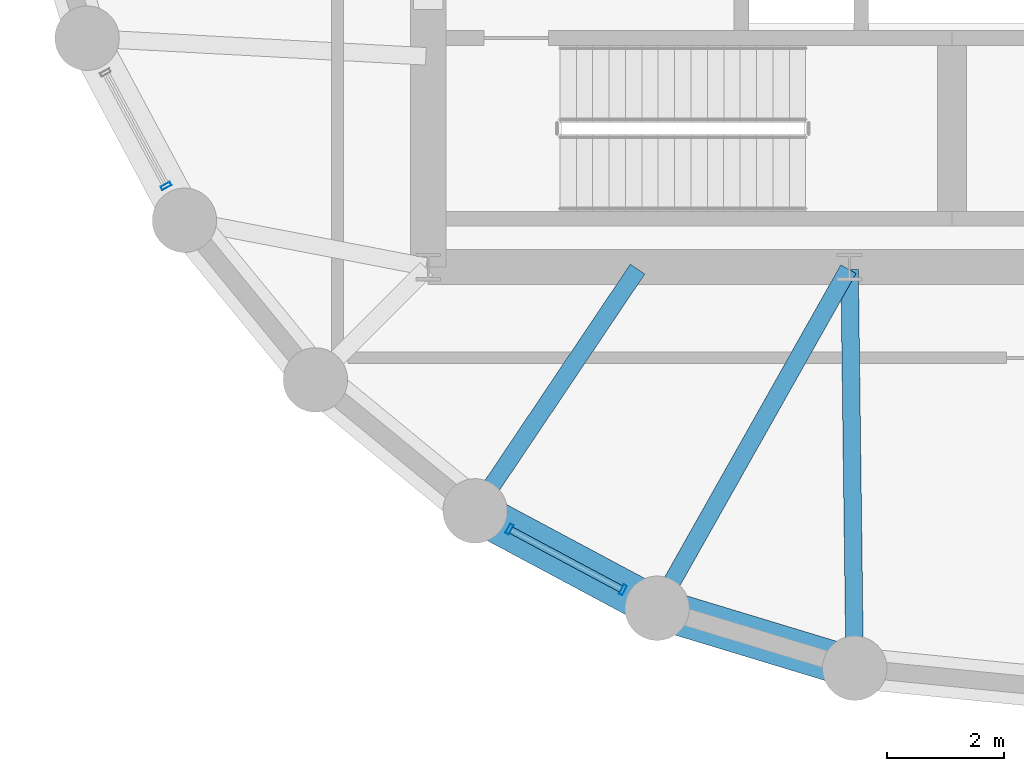
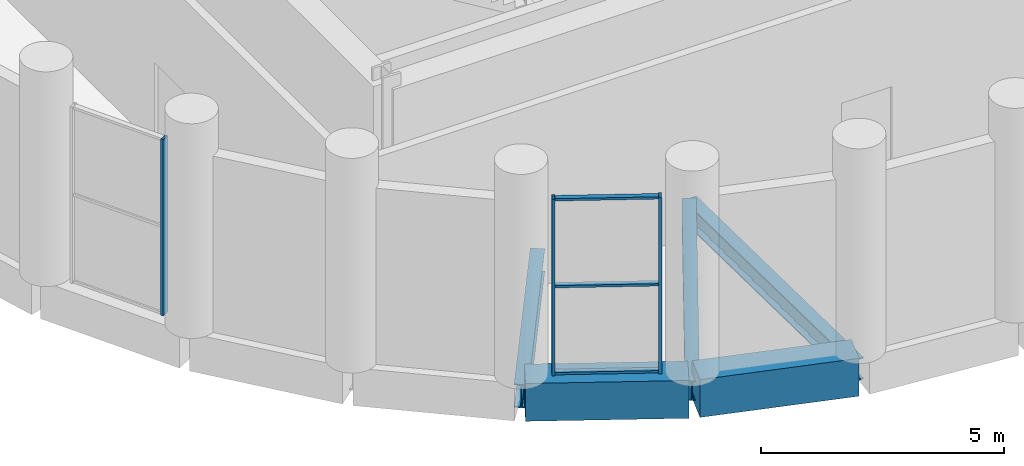
# One storey, part 2 of 27: 6 members, 5 beams, 2 elements without a shape of their own.
"""IFC4 building model written with IfcOpenShell, lengths in metres."""

from ifc_helpers import new_model, si_unit, direction, frame, origin, origin_2d, place, context, subcontext, project, spatial, rectangle, hollow_rectangle, i_section, extrude, material, layer, layer_set, material_profile, profile_set, type_object, element, aggregate, save


model = new_model("IFC4")

# Units and contexts
model_context = context("Model", 3, precision=1e-05, world=origin(), true_north=direction((0.0, 1.0)))
body_context = subcontext(model_context, "Body", "Model", "MODEL_VIEW")
ifc_project = project(units=[si_unit("LENGTHUNIT", "METRE"), si_unit("AREAUNIT", "SQUARE_METRE"), si_unit("VOLUMEUNIT", "CUBIC_METRE"), si_unit("PLANEANGLEUNIT", "RADIAN"), si_unit("MASSUNIT", "GRAM", prefix="KILO")], contexts=[model_context])

# Site, building, storey
site_placement = place(None, origin())
site = spatial("IfcSite", under=ifc_project, at=site_placement, CompositionType="ELEMENT")
building_placement = place(site_placement, origin())
building = spatial("IfcBuilding", under=site, at=building_placement, Name="Solnavia Interchange Tower", CompositionType="ELEMENT")
storey_placement = place(building_placement, frame((0.0, 0.0, 74.699951171875)))
storey = spatial("IfcBuildingStorey", under=building, at=storey_placement, Name="L18", CompositionType="ELEMENT", Elevation=74.699951171875)

# Beams
ifc_material_1 = material(Name="Steel S460", Category="steel")
ifc_material_profile_1 = material_profile(ifc_material_1, i_section(OverallWidth=0.300048828125, OverallDepth=0.550048828125, WebThickness=0.014892578125, FlangeThickness=0.029052734375, FilletRadius=0.027099609375, at=origin_2d()), Name="HEB 550")
ifc_profile_set_1 = profile_set([ifc_material_profile_1], Name="Steel S460")
beam_type_1 = type_object("IfcBeamType", Name="Beam-Girder-HEB550", PredefinedType="BEAM", material=ifc_profile_set_1)
beam_1_placement = place(storey_placement, frame((21.68701171875, 4.02587890625, -0.594970703125), z_axis=(-0.01283293513, 0.999917654498, 0.0), x_axis=(-0.999917654498, -0.01283293513, 0.0)))
element("IfcBeam", 1, at=beam_1_placement, inside=storey, type_object=beam_type_1, Name="GRD-L18-DR28 Drum radial floor girder", PredefinedType="BEAM", context=body_context, shape_type="SweptSolid", body=[
    extrude(i_section(OverallWidth=0.300048828125, OverallDepth=0.550048828125, WebThickness=0.014892578125, FlangeThickness=0.029052734375, FilletRadius=0.027099609375, at=origin_2d()), origin(), (0.0, 0.0, 1.0), 6.734619140625),
])
ifc_material_2 = material(Name="Steel S355", Category="steel")
ifc_material_profile_2 = material_profile(ifc_material_2, i_section(OverallWidth=0.300048828125, OverallDepth=0.489990234375, WebThickness=0.011962890625, FlangeThickness=0.02294921875, FilletRadius=0.027099609375, at=origin_2d()), Name="HEA 500")
ifc_profile_set_2 = profile_set([ifc_material_profile_2], Name="Steel S355")
beam_type_2 = type_object("IfcBeamType", Name="Beam-Primary-HEA500", PredefinedType="BEAM", material=ifc_profile_set_2)
beam_2_placement = place(storey_placement, frame((18.351318359375, 5.039794921875, -0.56494140625), z_axis=(0.491243158486, 0.871022479182, 0.0), x_axis=(-0.871022479182, 0.491243158486, 0.0)))
element("IfcBeam", 2, at=beam_2_placement, inside=storey, type_object=beam_type_2, Name="GRD-L18-DR27 Drum radial floor girder", PredefinedType="BEAM", context=body_context, shape_type="SweptSolid", body=[
    extrude(i_section(OverallWidth=0.300048828125, OverallDepth=0.489990234375, WebThickness=0.011962890625, FlangeThickness=0.02294921875, FilletRadius=0.027099609375, at=origin_2d()), origin(), (0.0, 0.0, 1.0), 6.5732421875),
])
ifc_material_profile_3 = material_profile(ifc_material_2, i_section(OverallWidth=0.300048828125, OverallDepth=0.590087890625, WebThickness=0.012939453125, FlangeThickness=0.02490234375, FilletRadius=0.027099609375, at=origin_2d()), Name="HEA 600")
ifc_profile_set_3 = profile_set([ifc_material_profile_3], Name="Steel S355")
beam_type_3 = type_object("IfcBeamType", Name="Beam-Primary-HEA600", PredefinedType="BEAM", material=ifc_profile_set_3)
beam_3_placement = place(storey_placement, frame((15.24462890625, 6.700439453125, -0.614990234375), z_axis=(0.557835474219, 0.829951555033, 0.0), x_axis=(-0.829951555033, 0.557835474219, 0.0)))
element("IfcBeam", 3, at=beam_3_placement, inside=storey, type_object=beam_type_3, Name="GRD-L18-DR26 Drum radial floor girder", PredefinedType="BEAM", context=body_context, shape_type="SweptSolid", body=[
    extrude(i_section(OverallWidth=0.300048828125, OverallDepth=0.590087890625, WebThickness=0.012939453125, FlangeThickness=0.02490234375, FilletRadius=0.027099609375, at=origin_2d()), origin(), (0.0, 0.0, 1.0), 4.899658203125),
])
ifc_material_3 = material(Name="Concrete C50/60", Category="concrete")
ifc_material_profile_4 = material_profile(ifc_material_3, rectangle(XDim=0.699951171875, YDim=0.949951171875, at=origin_2d()), Name="RC 700x950")
ifc_profile_set_4 = profile_set([ifc_material_profile_4], Name="Concrete C50/60")
beam_type_4 = type_object("IfcBeamType", Name="Beam-Spandrel-RC700x950", PredefinedType="SPANDREL", material=ifc_profile_set_4)
beam_4_placement = place(storey_placement, frame((15.2705078125, 6.59619140625, -0.474853515625), z_axis=(0.881875044348, -0.47148319817, 0.0), x_axis=(0.47148319817, 0.881875044348, 0.0)))
element("IfcBeam", 4, at=beam_4_placement, inside=storey, type_object=beam_type_4, Name="SPB-L18-06 Framed-tube perimeter spandrel beam", PredefinedType="SPANDREL", context=body_context, shape_type="SweptSolid", body=[
    extrude(rectangle(XDim=0.699951171875, YDim=0.949951171875, at=origin_2d()), origin(), (0.0, 0.0, 1.0), 3.368896484375),
])
beam_5_placement = place(storey_placement, frame((18.388671875, 4.94677734375, -0.474853515625), z_axis=(0.956943884494, -0.290272978297, 0.0), x_axis=(0.290272978297, 0.956943884494, 0.0)))
element("IfcBeam", 5, at=beam_5_placement, inside=storey, type_object=beam_type_4, Name="SPB-L18-07 Framed-tube perimeter spandrel beam", PredefinedType="SPANDREL", context=body_context, shape_type="SweptSolid", body=[
    extrude(rectangle(XDim=0.699951171875, YDim=0.949951171875, at=origin_2d()), origin(), (0.0, 0.0, 1.0), 3.36767578125),
])

# Curtain wall, member
ifc_material_4 = material(Name="Aluminium Alloy 6063-T6", Category="aluminium")
ifc_layer = layer(ifc_material_4, 0.199951171875)
ifc_layer_set = layer_set([ifc_layer], Name="Aluminium Alloy 6063-T6")
curtain_wall_type = type_object("IfcCurtainWallType", Name="CurtainWall-Louvre-CTW5", PredefinedType="NOTDEFINED", material=ifc_layer_set)
curtain_wall_1_placement = place(storey_placement, origin())
curtain_wall_1 = element("IfcCurtainWall", 6, at=curtain_wall_1_placement, inside=storey, type_object=curtain_wall_type, Name="CTW-L18-L57 CTW-5 curtain wall", PredefinedType="NOTDEFINED")
ifc_material_profile_5 = material_profile(ifc_material_4, hollow_rectangle(XDim=0.06494140625, YDim=0.179931640625, WallThickness=0.00439453125, at=origin_2d()), Name="ALU 180x65x4.5")
ifc_profile_set_5 = profile_set([ifc_material_profile_5], Name="Aluminium Alloy 6063-T6")
member_type_1 = type_object("IfcMemberType", Name="CW-Mullion-CWM-5", PredefinedType="MULLION", material=ifc_profile_set_5)
member_1_placement = place(storey_placement, frame((9.92041015625, 12.1865234375, 0.0), z_axis=(0.0, 0.0, 1.0), x_axis=(0.471569181579, -0.881829069029, 0.0)))
member_1 = element("IfcMember", 7, at=member_1_placement, type_object=member_type_1, Name="CTW-5 mullion 2", PredefinedType="MULLION", context=body_context, shape_type="SweptSolid", body=[
    extrude(hollow_rectangle(XDim=0.06494140625, YDim=0.179931640625, WallThickness=0.00439453125, at=origin_2d()), origin(), (0.0, 0.0, 1.0), 4.429931640625),
])
aggregate(curtain_wall_1, [member_1])

# Curtain wall, members
curtain_wall_2_placement = place(storey_placement, origin())
curtain_wall_2 = element("IfcCurtainWall", 8, at=curtain_wall_2_placement, inside=storey, type_object=curtain_wall_type, Name="CTW-L18-L60 CTW-5 curtain wall", PredefinedType="NOTDEFINED")
member_2_placement = place(storey_placement, frame((15.786376953125, 6.320556640625, 0.0), z_axis=(0.0, 0.0, 1.0), x_axis=(0.881829069029, -0.471569181579, 0.0)))
member_2 = element("IfcMember", 9, at=member_2_placement, type_object=member_type_1, Name="CTW-5 mullion 1", PredefinedType="MULLION", context=body_context, shape_type="SweptSolid", body=[
    extrude(hollow_rectangle(XDim=0.06494140625, YDim=0.179931640625, WallThickness=0.00439453125, at=origin_2d()), origin(), (0.0, 0.0, 1.0), 4.429931640625),
])
member_3_placement = place(storey_placement, frame((17.7255859375, 5.283447265625, 0.0), z_axis=(0.0, 0.0, 1.0), x_axis=(0.881829069029, -0.471569181579, 0.0)))
member_3 = element("IfcMember", 10, at=member_3_placement, type_object=member_type_1, Name="CTW-5 mullion 2", PredefinedType="MULLION", context=body_context, shape_type="SweptSolid", body=[
    extrude(hollow_rectangle(XDim=0.06494140625, YDim=0.179931640625, WallThickness=0.00439453125, at=origin_2d()), origin(), (0.0, 0.0, 1.0), 4.429931640625),
])
ifc_material_profile_6 = material_profile(ifc_material_4, hollow_rectangle(XDim=0.06005859375, YDim=0.1201171875, WallThickness=0.00390625, at=origin_2d()), Name="ALU 120x60x4")
ifc_profile_set_6 = profile_set([ifc_material_profile_6], Name="Aluminium Alloy 6063-T6")
member_type_2 = type_object("IfcMemberType", Name="CW-Transom-CWT-5", PredefinedType="USERDEFINED", material=ifc_profile_set_6)
member_4_placement = place(storey_placement, frame((15.815185546875, 6.30517578125, 0.030029296875), z_axis=(0.881801240796, -0.47162121637, 0.0), x_axis=(0.0, 0.0, 1.0)))
member_4 = element("IfcMember", 11, at=member_4_placement, type_object=member_type_2, Name="CTW-5 transom 1.1", ObjectType="TRANSOM", PredefinedType="USERDEFINED", context=body_context, shape_type="SweptSolid", body=[
    extrude(hollow_rectangle(XDim=0.06005859375, YDim=0.1201171875, WallThickness=0.00390625, at=origin_2d()), origin(), (0.0, 0.0, 1.0), 2.1337890625),
])
member_5_placement = place(storey_placement, frame((15.815185546875, 6.30517578125, 2.215087890625), z_axis=(0.881801240796, -0.47162121637, 0.0), x_axis=(0.0, 0.0, 1.0)))
member_5 = element("IfcMember", 12, at=member_5_placement, type_object=member_type_2, Name="CTW-5 transom 1.2", ObjectType="TRANSOM", PredefinedType="USERDEFINED", context=body_context, shape_type="SweptSolid", body=[
    extrude(hollow_rectangle(XDim=0.06005859375, YDim=0.1201171875, WallThickness=0.00390625, at=origin_2d()), origin(), (0.0, 0.0, 1.0), 2.1337890625),
])
member_6_placement = place(storey_placement, frame((15.815185546875, 6.30517578125, 4.400146484375), z_axis=(0.881801240796, -0.47162121637, 0.0), x_axis=(0.0, 0.0, 1.0)))
member_6 = element("IfcMember", 13, at=member_6_placement, type_object=member_type_2, Name="CTW-5 transom 1.3", ObjectType="TRANSOM", PredefinedType="USERDEFINED", context=body_context, shape_type="SweptSolid", body=[
    extrude(hollow_rectangle(XDim=0.06005859375, YDim=0.1201171875, WallThickness=0.00390625, at=origin_2d()), origin(), (0.0, 0.0, 1.0), 2.1337890625),
])
aggregate(curtain_wall_2, [member_2, member_3, member_4, member_5, member_6])

save(model, "model.ifc")
